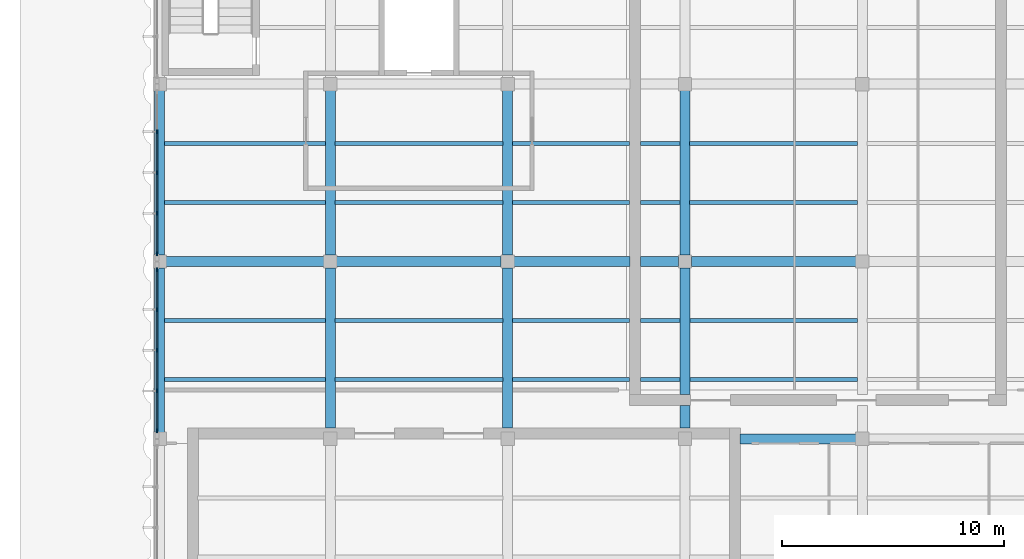
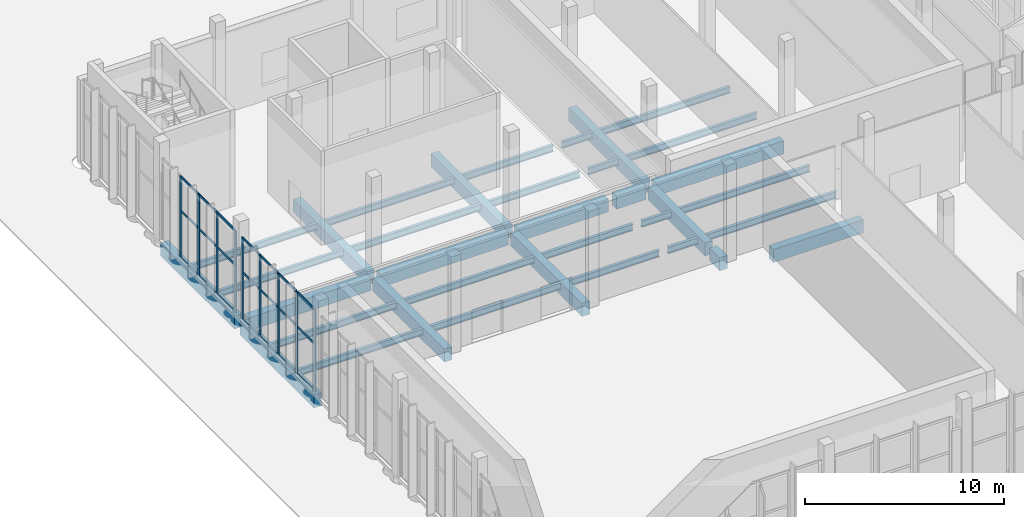
# One storey, part 37 of 155: 35 beams, 30 members, 2 elements without a shape of their own.
"""IFC4 building model written with IfcOpenShell, lengths in metres."""

from ifc_helpers import new_model, si_unit, direction, frame, origin, origin_2d, place, context, subcontext, project, spatial, rectangle, i_section, extrude, material, layer, layer_set, material_profile, profile_set, type_object, element, aggregate, save


model = new_model("IFC4")

# Units and contexts
model_context = context("Model", 3, precision=1e-05, world=origin(), true_north=direction((0.0, 1.0)))
body_context = subcontext(model_context, "Body", "Model", "MODEL_VIEW")
ifc_project = project(units=[si_unit("LENGTHUNIT", "METRE"), si_unit("AREAUNIT", "SQUARE_METRE"), si_unit("VOLUMEUNIT", "CUBIC_METRE"), si_unit("PLANEANGLEUNIT", "RADIAN"), si_unit("MASSUNIT", "GRAM", prefix="KILO")], contexts=[model_context])

# Site, building, storey
site_placement = place(None, origin())
site = spatial("IfcSite", under=ifc_project, at=site_placement, CompositionType="ELEMENT")
building_placement = place(site_placement, origin())
building = spatial("IfcBuilding", under=site, at=building_placement, Name="Lunette Opera House", CompositionType="ELEMENT")
storey_placement = place(building_placement, origin())
storey = spatial("IfcBuildingStorey", under=building, at=storey_placement, Name="L00", CompositionType="ELEMENT", Elevation=0.0)

# Curtain wall, members
ifc_material_1 = material(Name="Aluminium", Category="aluminium")
ifc_layer = layer(ifc_material_1, 0.179931640625)
ifc_layer_set = layer_set([ifc_layer], Name="Aluminium")
curtain_wall_type = type_object("IfcCurtainWallType", Name="SUN FACE CURTAIN WALL", PredefinedType="NOTDEFINED", material=ifc_layer_set)
curtain_wall_1_placement = place(storey_placement, origin())
curtain_wall_1 = element("IfcCurtainWall", 1, at=curtain_wall_1_placement, inside=storey, type_object=curtain_wall_type, Name="Sun Face Curtain Wall F08 L00", PredefinedType="NOTDEFINED")
ifc_material_2 = material(Name="Aluminium", Category="aluminium")
ifc_material_profile_1 = material_profile(ifc_material_2, rectangle(XDim=0.06005859375, YDim=0.179931640625, at=origin_2d()), Name="MULLION 60 X 180")
ifc_profile_set_1 = profile_set([ifc_material_profile_1], Name="Aluminium")
member_type_1 = type_object("IfcMemberType", Name="MULLION 60 X 180", PredefinedType="MULLION", material=ifc_profile_set_1)
member_1_placement = place(storey_placement, frame((8.181884765625, 101.8544921875, 0.0), z_axis=(0.0, 0.0, 1.0), x_axis=(1.0, 0.0, 0.0)))
member_1 = element("IfcMember", 2, at=member_1_placement, type_object=member_type_1, Name="RW-X2002 mullion 2", PredefinedType="MULLION", context=body_context, shape_type="SweptSolid", body=[
    extrude(rectangle(XDim=0.06005859375, YDim=0.179931640625, at=origin_2d()), origin(), (0.0, 0.0, 1.0), 5.050048828125),
])
member_2_placement = place(storey_placement, frame((8.181884765625, 100.012939453125, 0.0), z_axis=(0.0, 0.0, 1.0), x_axis=(1.0, 0.0, 0.0)))
member_2 = element("IfcMember", 3, at=member_2_placement, type_object=member_type_1, Name="RW-X2002 mullion 3", PredefinedType="MULLION", context=body_context, shape_type="SweptSolid", body=[
    extrude(rectangle(XDim=0.06005859375, YDim=0.179931640625, at=origin_2d()), origin(), (0.0, 0.0, 1.0), 5.050048828125),
])
member_3_placement = place(storey_placement, frame((8.181884765625, 98.17138671875, 0.0), z_axis=(0.0, 0.0, 1.0), x_axis=(1.0, 0.0, 0.0)))
member_3 = element("IfcMember", 4, at=member_3_placement, type_object=member_type_1, Name="RW-X2002 mullion 4", PredefinedType="MULLION", context=body_context, shape_type="SweptSolid", body=[
    extrude(rectangle(XDim=0.06005859375, YDim=0.179931640625, at=origin_2d()), origin(), (0.0, 0.0, 1.0), 5.050048828125),
])
member_4_placement = place(storey_placement, frame((8.181884765625, 96.360107421875, 0.0), z_axis=(0.0, 0.0, 1.0), x_axis=(1.0, 0.0, 0.0)))
member_4 = element("IfcMember", 5, at=member_4_placement, type_object=member_type_1, Name="RW-X2002 mullion 5", PredefinedType="MULLION", context=body_context, shape_type="SweptSolid", body=[
    extrude(rectangle(XDim=0.06005859375, YDim=0.179931640625, at=origin_2d()), origin(), (0.0, 0.0, 1.0), 5.050048828125),
])

curtain_wall_2_placement = place(storey_placement, origin())
curtain_wall_2 = element("IfcCurtainWall", 6, at=curtain_wall_2_placement, inside=storey, type_object=curtain_wall_type, Name="Sun Face Curtain Wall F09 L00", PredefinedType="NOTDEFINED")
member_5_placement = place(storey_placement, frame((8.181884765625, 95.639892578125, 0.0), z_axis=(0.0, 0.0, 1.0), x_axis=(1.0, 0.0, 0.0)))
member_5 = element("IfcMember", 7, at=member_5_placement, type_object=member_type_1, Name="RW-X2003 mullion 1", PredefinedType="MULLION", context=body_context, shape_type="SweptSolid", body=[
    extrude(rectangle(XDim=0.06005859375, YDim=0.179931640625, at=origin_2d()), origin(), (0.0, 0.0, 1.0), 5.050048828125),
])
member_6_placement = place(storey_placement, frame((8.181884765625, 93.8349609375, 0.0), z_axis=(0.0, 0.0, 1.0), x_axis=(1.0, 0.0, 0.0)))
member_6 = element("IfcMember", 8, at=member_6_placement, type_object=member_type_1, Name="RW-X2003 mullion 2", PredefinedType="MULLION", context=body_context, shape_type="SweptSolid", body=[
    extrude(rectangle(XDim=0.06005859375, YDim=0.179931640625, at=origin_2d()), origin(), (0.0, 0.0, 1.0), 5.050048828125),
])
member_7_placement = place(storey_placement, frame((8.181884765625, 92.0, 0.0), z_axis=(0.0, 0.0, 1.0), x_axis=(1.0, 0.0, 0.0)))
member_7 = element("IfcMember", 9, at=member_7_placement, type_object=member_type_1, Name="RW-X2003 mullion 3", PredefinedType="MULLION", context=body_context, shape_type="SweptSolid", body=[
    extrude(rectangle(XDim=0.06005859375, YDim=0.179931640625, at=origin_2d()), origin(), (0.0, 0.0, 1.0), 5.050048828125),
])
member_8_placement = place(storey_placement, frame((8.181884765625, 90.1650390625, 0.0), z_axis=(0.0, 0.0, 1.0), x_axis=(1.0, 0.0, 0.0)))
member_8 = element("IfcMember", 10, at=member_8_placement, type_object=member_type_1, Name="RW-X2003 mullion 4", PredefinedType="MULLION", context=body_context, shape_type="SweptSolid", body=[
    extrude(rectangle(XDim=0.06005859375, YDim=0.179931640625, at=origin_2d()), origin(), (0.0, 0.0, 1.0), 5.050048828125),
])
member_9_placement = place(storey_placement, frame((8.181884765625, 88.360107421875, 0.0), z_axis=(0.0, 0.0, 1.0), x_axis=(1.0, 0.0, 0.0)))
member_9 = element("IfcMember", 11, at=member_9_placement, type_object=member_type_1, Name="RW-X2003 mullion 5", PredefinedType="MULLION", context=body_context, shape_type="SweptSolid", body=[
    extrude(rectangle(XDim=0.06005859375, YDim=0.179931640625, at=origin_2d()), origin(), (0.0, 0.0, 1.0), 5.050048828125),
])

# Beams
ifc_material_3 = material(Name="Concrete C35/45", Category="concrete")
ifc_material_profile_2 = material_profile(ifc_material_3, rectangle(XDim=0.449951171875, YDim=0.800048828125, at=origin_2d()), Name="RC BEAM 450X800")
ifc_profile_set_2 = profile_set([ifc_material_profile_2], Name="Concrete C35/45")
beam_type_1 = type_object("IfcBeamType", Name="RC BEAM 450X800", PredefinedType="BEAM", material=ifc_profile_set_2)
for number, where, z_axis, x_axis, name in (
    (12, (8.300048828125, 88.2900390625, -0.550048828125), (0.0, 1.0, 0.0), (-1.0, 0.0, 0.0), "beam-RW-L00-L00-GY03"),
    (13, (8.300048828125, 96.2900390625, -0.550048828125), (0.0, 1.0, 0.0), (-1.0, 0.0, 0.0), "beam-RW-L00-L00-GY04"),
):
    element("IfcBeam", number, at=place(storey_placement, frame(where, z_axis=z_axis, x_axis=x_axis)), inside=storey, type_object=beam_type_1, Name=name, PredefinedType="BEAM", context=body_context, shape_type="SweptSolid", body=[
        extrude(rectangle(XDim=0.449951171875, YDim=0.800048828125, at=origin_2d()), origin(), (0.0, 0.0, 1.0), 7.419921875),
    ])
beam_1_placement = place(storey_placement, frame((16.0, 88.489990234375, -0.550048828125), z_axis=(0.0, 1.0, 0.0), x_axis=(-1.0, 0.0, 0.0)))
element("IfcBeam", 14, at=beam_1_placement, inside=storey, type_object=beam_type_1, Name="beam-RW-L00-L00-GY13", PredefinedType="BEAM", context=body_context, shape_type="SweptSolid", body=[
    extrude(rectangle(XDim=0.449951171875, YDim=0.800048828125, at=origin_2d()), origin(), (0.0, 0.0, 1.0), 7.219970703125),
])
beam_2_placement = place(storey_placement, frame((16.0, 96.2900390625, -0.550048828125), z_axis=(0.0, 1.0, 0.0), x_axis=(-1.0, 0.0, 0.0)))
element("IfcBeam", 15, at=beam_2_placement, inside=storey, type_object=beam_type_1, Name="beam-RW-L00-L00-GY14", PredefinedType="BEAM", context=body_context, shape_type="SweptSolid", body=[
    extrude(rectangle(XDim=0.449951171875, YDim=0.800048828125, at=origin_2d()), origin(), (0.0, 0.0, 1.0), 7.419921875),
])
beam_3_placement = place(storey_placement, frame((24.0, 88.489990234375, -0.550048828125), z_axis=(0.0, 1.0, 0.0), x_axis=(-1.0, 0.0, 0.0)))
element("IfcBeam", 16, at=beam_3_placement, inside=storey, type_object=beam_type_1, Name="beam-RW-L00-L00-GY23", PredefinedType="BEAM", context=body_context, shape_type="SweptSolid", body=[
    extrude(rectangle(XDim=0.449951171875, YDim=0.800048828125, at=origin_2d()), origin(), (0.0, 0.0, 1.0), 7.219970703125),
])
beam_4_placement = place(storey_placement, frame((24.0, 96.2900390625, -0.550048828125), z_axis=(0.0, 1.0, 0.0), x_axis=(-1.0, 0.0, 0.0)))
element("IfcBeam", 17, at=beam_4_placement, inside=storey, type_object=beam_type_1, Name="beam-RW-L00-L00-GY24", PredefinedType="BEAM", context=body_context, shape_type="SweptSolid", body=[
    extrude(rectangle(XDim=0.449951171875, YDim=0.800048828125, at=origin_2d()), origin(), (0.0, 0.0, 1.0), 7.419921875),
])
beam_5_placement = place(storey_placement, frame((32.0, 88.489990234375, -0.550048828125), z_axis=(0.0, 1.0, 0.0), x_axis=(-1.0, 0.0, 0.0)))
element("IfcBeam", 18, at=beam_5_placement, inside=storey, type_object=beam_type_1, Name="beam-RW-L00-L00-GY33", PredefinedType="BEAM", context=body_context, shape_type="SweptSolid", body=[
    extrude(rectangle(XDim=0.449951171875, YDim=0.800048828125, at=origin_2d()), origin(), (0.0, 0.0, 1.0), 1.02001953125),
])
beam_6_placement = place(storey_placement, frame((32.0, 89.989990234375, -0.550048828125), z_axis=(0.0, 1.0, 0.0), x_axis=(-1.0, 0.0, 0.0)))
element("IfcBeam", 19, at=beam_6_placement, inside=storey, type_object=beam_type_1, Name="beam-RW-L00-L00-GY33-1", PredefinedType="BEAM", context=body_context, shape_type="SweptSolid", body=[
    extrude(rectangle(XDim=0.449951171875, YDim=0.800048828125, at=origin_2d()), origin(), (0.0, 0.0, 1.0), 5.719970703125),
])
beam_7_placement = place(storey_placement, frame((32.0, 96.2900390625, -0.550048828125), z_axis=(0.0, 1.0, 0.0), x_axis=(-1.0, 0.0, 0.0)))
element("IfcBeam", 20, at=beam_7_placement, inside=storey, type_object=beam_type_1, Name="beam-RW-L00-L00-GY34", PredefinedType="BEAM", context=body_context, shape_type="SweptSolid", body=[
    extrude(rectangle(XDim=0.449951171875, YDim=0.800048828125, at=origin_2d()), origin(), (0.0, 0.0, 1.0), 7.419921875),
])
beam_8_placement = place(storey_placement, frame((34.489990234375, 88.0, -0.550048828125), z_axis=(1.0, 0.0, 0.0), x_axis=(0.0, 1.0, 0.0)))
element("IfcBeam", 21, at=beam_8_placement, inside=storey, type_object=beam_type_1, Name="beam-RW-L00-L00-GX33", PredefinedType="BEAM", context=body_context, shape_type="SweptSolid", body=[
    extrude(rectangle(XDim=0.449951171875, YDim=0.800048828125, at=origin_2d()), origin(), (0.0, 0.0, 1.0), 5.219970703125),
])
beam_9_placement = place(storey_placement, frame((8.590087890625, 96.0, -0.550048828125), z_axis=(1.0, 0.0, 0.0), x_axis=(0.0, 1.0, 0.0)))
element("IfcBeam", 22, at=beam_9_placement, inside=storey, type_object=beam_type_1, Name="beam-RW-L00-L00-GX04", PredefinedType="BEAM", context=body_context, shape_type="SweptSolid", body=[
    extrude(rectangle(XDim=0.449951171875, YDim=0.800048828125, at=origin_2d()), origin(), (0.0, 0.0, 1.0), 7.119873046875),
])
beam_10_placement = place(storey_placement, frame((16.2900390625, 96.0, -0.550048828125), z_axis=(1.0, 0.0, 0.0), x_axis=(0.0, 1.0, 0.0)))
element("IfcBeam", 23, at=beam_10_placement, inside=storey, type_object=beam_type_1, Name="beam-RW-L00-L00-GX14", PredefinedType="BEAM", context=body_context, shape_type="SweptSolid", body=[
    extrude(rectangle(XDim=0.449951171875, YDim=0.800048828125, at=origin_2d()), origin(), (0.0, 0.0, 1.0), 7.419921875),
])
beam_11_placement = place(storey_placement, frame((24.2900390625, 96.0, -0.550048828125), z_axis=(1.0, 0.0, 0.0), x_axis=(0.0, 1.0, 0.0)))
element("IfcBeam", 24, at=beam_11_placement, inside=storey, type_object=beam_type_1, Name="beam-RW-L00-L00-GX24", PredefinedType="BEAM", context=body_context, shape_type="SweptSolid", body=[
    extrude(rectangle(XDim=0.449951171875, YDim=0.800048828125, at=origin_2d()), origin(), (0.0, 0.0, 1.0), 5.219970703125),
])
beam_12_placement = place(storey_placement, frame((29.989990234375, 96.0, -0.550048828125), z_axis=(1.0, 0.0, 0.0), x_axis=(0.0, 1.0, 0.0)))
element("IfcBeam", 25, at=beam_12_placement, inside=storey, type_object=beam_type_1, Name="beam-RW-L00-L00-GX24-1", PredefinedType="BEAM", context=body_context, shape_type="SweptSolid", body=[
    extrude(rectangle(XDim=0.449951171875, YDim=0.800048828125, at=origin_2d()), origin(), (0.0, 0.0, 1.0), 1.719970703125),
])
beam_13_placement = place(storey_placement, frame((32.2900390625, 96.0, -0.550048828125), z_axis=(1.0, 0.0, 0.0), x_axis=(0.0, 1.0, 0.0)))
element("IfcBeam", 26, at=beam_13_placement, inside=storey, type_object=beam_type_1, Name="beam-RW-L00-L00-GX34", PredefinedType="BEAM", context=body_context, shape_type="SweptSolid", body=[
    extrude(rectangle(XDim=0.449951171875, YDim=0.800048828125, at=origin_2d()), origin(), (0.0, 0.0, 1.0), 7.419921875),
])
ifc_material_4 = material(Name="Steel S355", Category="steel")
ifc_material_profile_3 = material_profile(ifc_material_4, i_section(OverallWidth=0.179931640625, OverallDepth=0.39990234375, WebThickness=0.008544921875, FlangeThickness=0.013427734375, FilletRadius=0.02099609375, at=origin_2d()), Name="IPE 400")
ifc_profile_set_3 = profile_set([ifc_material_profile_3], Name="Steel S355")
beam_type_2 = type_object("IfcBeamType", Name="STEEL BEAM IPE 400", PredefinedType="BEAM", material=ifc_profile_set_3)
for number, where, z_axis, x_axis, name in (
    (27, (8.514892578125, 90.6669921875, -0.35009765625), (1.0, 0.0, 0.0), (0.0, 1.0, 0.0), "beam-RW-L00-L00-SX031"),
    (28, (8.514892578125, 93.3330078125, -0.35009765625), (1.0, 0.0, 0.0), (0.0, 1.0, 0.0), "beam-RW-L00-L00-SX032"),
    (29, (8.514892578125, 98.6669921875, -0.35009765625), (1.0, 0.0, 0.0), (0.0, 1.0, 0.0), "beam-RW-L00-L00-SX041"),
    (30, (8.514892578125, 101.3330078125, -0.35009765625), (1.0, 0.0, 0.0), (0.0, 1.0, 0.0), "beam-RW-L00-L00-SX042"),
):
    element("IfcBeam", number, at=place(storey_placement, frame(where, z_axis=z_axis, x_axis=x_axis)), inside=storey, type_object=beam_type_2, Name=name, PredefinedType="BEAM", context=body_context, shape_type="SweptSolid", body=[
        extrude(i_section(OverallWidth=0.179931640625, OverallDepth=0.39990234375, WebThickness=0.008544921875, FlangeThickness=0.013427734375, FilletRadius=0.02099609375, at=origin_2d()), origin(), (0.0, 0.0, 1.0), 7.27001953125),
    ])
for number, where, z_axis, x_axis, name in (
    (31, (16.215087890625, 90.6669921875, -0.35009765625), (1.0, 0.0, 0.0), (0.0, 1.0, 0.0), "beam-RW-L00-L00-SX131"),
    (32, (16.215087890625, 93.3330078125, -0.35009765625), (1.0, 0.0, 0.0), (0.0, 1.0, 0.0), "beam-RW-L00-L00-SX132"),
    (33, (16.215087890625, 98.6669921875, -0.35009765625), (1.0, 0.0, 0.0), (0.0, 1.0, 0.0), "beam-RW-L00-L00-SX141"),
    (34, (16.215087890625, 101.3330078125, -0.35009765625), (1.0, 0.0, 0.0), (0.0, 1.0, 0.0), "beam-RW-L00-L00-SX142"),
):
    element("IfcBeam", number, at=place(storey_placement, frame(where, z_axis=z_axis, x_axis=x_axis)), inside=storey, type_object=beam_type_2, Name=name, PredefinedType="BEAM", context=body_context, shape_type="SweptSolid", body=[
        extrude(i_section(OverallWidth=0.179931640625, OverallDepth=0.39990234375, WebThickness=0.008544921875, FlangeThickness=0.013427734375, FilletRadius=0.02099609375, at=origin_2d()), origin(), (0.0, 0.0, 1.0), 7.56982421875),
    ])
beam_14_placement = place(storey_placement, frame((24.215087890625, 90.6669921875, -0.35009765625), z_axis=(1.0, 0.0, 0.0), x_axis=(0.0, 1.0, 0.0)))
element("IfcBeam", 35, at=beam_14_placement, inside=storey, type_object=beam_type_2, Name="beam-RW-L00-L00-SX231", PredefinedType="BEAM", context=body_context, shape_type="SweptSolid", body=[
    extrude(i_section(OverallWidth=0.179931640625, OverallDepth=0.39990234375, WebThickness=0.008544921875, FlangeThickness=0.013427734375, FilletRadius=0.02099609375, at=origin_2d()), origin(), (0.0, 0.0, 1.0), 5.284912109375),
])
beam_15_placement = place(storey_placement, frame((30.0, 90.6669921875, -0.35009765625), z_axis=(1.0, 0.0, 0.0), x_axis=(0.0, 1.0, 0.0)))
element("IfcBeam", 36, at=beam_15_placement, inside=storey, type_object=beam_type_2, Name="beam-RW-L00-L00-SX231-01", PredefinedType="BEAM", context=body_context, shape_type="SweptSolid", body=[
    extrude(i_section(OverallWidth=0.179931640625, OverallDepth=0.39990234375, WebThickness=0.008544921875, FlangeThickness=0.013427734375, FilletRadius=0.02099609375, at=origin_2d()), origin(), (0.0, 0.0, 1.0), 1.784912109375),
])
beam_16_placement = place(storey_placement, frame((24.215087890625, 93.3330078125, -0.35009765625), z_axis=(1.0, 0.0, 0.0), x_axis=(0.0, 1.0, 0.0)))
element("IfcBeam", 37, at=beam_16_placement, inside=storey, type_object=beam_type_2, Name="beam-RW-L00-L00-SX232", PredefinedType="BEAM", context=body_context, shape_type="SweptSolid", body=[
    extrude(i_section(OverallWidth=0.179931640625, OverallDepth=0.39990234375, WebThickness=0.008544921875, FlangeThickness=0.013427734375, FilletRadius=0.02099609375, at=origin_2d()), origin(), (0.0, 0.0, 1.0), 5.284912109375),
])
beam_17_placement = place(storey_placement, frame((30.0, 93.3330078125, -0.35009765625), z_axis=(1.0, 0.0, 0.0), x_axis=(0.0, 1.0, 0.0)))
element("IfcBeam", 38, at=beam_17_placement, inside=storey, type_object=beam_type_2, Name="beam-RW-L00-L00-SX232-01", PredefinedType="BEAM", context=body_context, shape_type="SweptSolid", body=[
    extrude(i_section(OverallWidth=0.179931640625, OverallDepth=0.39990234375, WebThickness=0.008544921875, FlangeThickness=0.013427734375, FilletRadius=0.02099609375, at=origin_2d()), origin(), (0.0, 0.0, 1.0), 1.784912109375),
])
beam_18_placement = place(storey_placement, frame((24.215087890625, 98.6669921875, -0.35009765625), z_axis=(1.0, 0.0, 0.0), x_axis=(0.0, 1.0, 0.0)))
element("IfcBeam", 39, at=beam_18_placement, inside=storey, type_object=beam_type_2, Name="beam-RW-L00-L00-SX241", PredefinedType="BEAM", context=body_context, shape_type="SweptSolid", body=[
    extrude(i_section(OverallWidth=0.179931640625, OverallDepth=0.39990234375, WebThickness=0.008544921875, FlangeThickness=0.013427734375, FilletRadius=0.02099609375, at=origin_2d()), origin(), (0.0, 0.0, 1.0), 5.284912109375),
])
beam_19_placement = place(storey_placement, frame((30.0, 98.6669921875, -0.35009765625), z_axis=(1.0, 0.0, 0.0), x_axis=(0.0, 1.0, 0.0)))
element("IfcBeam", 40, at=beam_19_placement, inside=storey, type_object=beam_type_2, Name="beam-RW-L00-L00-SX241-01", PredefinedType="BEAM", context=body_context, shape_type="SweptSolid", body=[
    extrude(i_section(OverallWidth=0.179931640625, OverallDepth=0.39990234375, WebThickness=0.008544921875, FlangeThickness=0.013427734375, FilletRadius=0.02099609375, at=origin_2d()), origin(), (0.0, 0.0, 1.0), 1.784912109375),
])
beam_20_placement = place(storey_placement, frame((24.215087890625, 101.3330078125, -0.35009765625), z_axis=(1.0, 0.0, 0.0), x_axis=(0.0, 1.0, 0.0)))
element("IfcBeam", 41, at=beam_20_placement, inside=storey, type_object=beam_type_2, Name="beam-RW-L00-L00-SX242", PredefinedType="BEAM", context=body_context, shape_type="SweptSolid", body=[
    extrude(i_section(OverallWidth=0.179931640625, OverallDepth=0.39990234375, WebThickness=0.008544921875, FlangeThickness=0.013427734375, FilletRadius=0.02099609375, at=origin_2d()), origin(), (0.0, 0.0, 1.0), 5.284912109375),
])
beam_21_placement = place(storey_placement, frame((30.0, 101.3330078125, -0.35009765625), z_axis=(1.0, 0.0, 0.0), x_axis=(0.0, 1.0, 0.0)))
element("IfcBeam", 42, at=beam_21_placement, inside=storey, type_object=beam_type_2, Name="beam-RW-L00-L00-SX242-01", PredefinedType="BEAM", context=body_context, shape_type="SweptSolid", body=[
    extrude(i_section(OverallWidth=0.179931640625, OverallDepth=0.39990234375, WebThickness=0.008544921875, FlangeThickness=0.013427734375, FilletRadius=0.02099609375, at=origin_2d()), origin(), (0.0, 0.0, 1.0), 1.784912109375),
])
for number, where, z_axis, x_axis, name in (
    (43, (32.215087890625, 90.6669921875, -0.35009765625), (1.0, 0.0, 0.0), (0.0, 1.0, 0.0), "beam-RW-L00-L00-SX331"),
    (44, (32.215087890625, 93.3330078125, -0.35009765625), (1.0, 0.0, 0.0), (0.0, 1.0, 0.0), "beam-RW-L00-L00-SX332"),
    (45, (32.215087890625, 98.6669921875, -0.35009765625), (1.0, 0.0, 0.0), (0.0, 1.0, 0.0), "beam-RW-L00-L00-SX341"),
    (46, (32.215087890625, 101.3330078125, -0.35009765625), (1.0, 0.0, 0.0), (0.0, 1.0, 0.0), "beam-RW-L00-L00-SX342"),
):
    element("IfcBeam", number, at=place(storey_placement, frame(where, z_axis=z_axis, x_axis=x_axis)), inside=storey, type_object=beam_type_2, Name=name, PredefinedType="BEAM", context=body_context, shape_type="SweptSolid", body=[
        extrude(i_section(OverallWidth=0.179931640625, OverallDepth=0.39990234375, WebThickness=0.008544921875, FlangeThickness=0.013427734375, FilletRadius=0.02099609375, at=origin_2d()), origin(), (0.0, 0.0, 1.0), 7.56982421875),
    ])

# Member
ifc_material_5 = material(Name="Aluminium", Category="aluminium")
ifc_material_profile_4 = material_profile(ifc_material_5, rectangle(XDim=0.06005859375, YDim=0.139892578125, at=origin_2d()), Name="TRANSOM 60 X 140")
ifc_profile_set_4 = profile_set([ifc_material_profile_4], Name="Aluminium")
member_type_2 = type_object("IfcMemberType", Name="TRANSOM 60 X 140", PredefinedType="USERDEFINED", material=ifc_profile_set_4)
member_10_placement = place(storey_placement, frame((8.181884765625, 101.824462890625, 0.030029296875), z_axis=(0.0, -1.0, 0.0), x_axis=(1.0, 0.0, 0.0)))
member_10 = element("IfcMember", 47, at=member_10_placement, type_object=member_type_2, Name="RW-X2002 transom 2.1", ObjectType="TRANSOM", PredefinedType="USERDEFINED", context=body_context, shape_type="SweptSolid", body=[
    extrude(rectangle(XDim=0.06005859375, YDim=0.139892578125, at=origin_2d()), origin(), (0.0, 0.0, 1.0), 1.781494140625),
])

member_11_placement = place(storey_placement, frame((8.181884765625, 101.824462890625, 2.925048828125), z_axis=(0.0, -1.0, 0.0), x_axis=(1.0, 0.0, 0.0)))
member_11 = element("IfcMember", 48, at=member_11_placement, type_object=member_type_2, Name="RW-X2002 transom 2.2", ObjectType="TRANSOM", PredefinedType="USERDEFINED", context=body_context, shape_type="SweptSolid", body=[
    extrude(rectangle(XDim=0.06005859375, YDim=0.139892578125, at=origin_2d()), origin(), (0.0, 0.0, 1.0), 1.781494140625),
])

member_12_placement = place(storey_placement, frame((8.181884765625, 101.824462890625, 5.02001953125), z_axis=(0.0, -1.0, 0.0), x_axis=(1.0, 0.0, 0.0)))
member_12 = element("IfcMember", 49, at=member_12_placement, type_object=member_type_2, Name="RW-X2002 transom 2.3", ObjectType="TRANSOM", PredefinedType="USERDEFINED", context=body_context, shape_type="SweptSolid", body=[
    extrude(rectangle(XDim=0.06005859375, YDim=0.139892578125, at=origin_2d()), origin(), (0.0, 0.0, 1.0), 1.781494140625),
])

member_13_placement = place(storey_placement, frame((8.181884765625, 99.98291015625, 0.030029296875), z_axis=(0.0, -1.0, 0.0), x_axis=(1.0, 0.0, 0.0)))
member_13 = element("IfcMember", 50, at=member_13_placement, type_object=member_type_2, Name="RW-X2002 transom 3.1", ObjectType="TRANSOM", PredefinedType="USERDEFINED", context=body_context, shape_type="SweptSolid", body=[
    extrude(rectangle(XDim=0.06005859375, YDim=0.139892578125, at=origin_2d()), origin(), (0.0, 0.0, 1.0), 1.781494140625),
])

member_14_placement = place(storey_placement, frame((8.181884765625, 99.98291015625, 2.925048828125), z_axis=(0.0, -1.0, 0.0), x_axis=(1.0, 0.0, 0.0)))
member_14 = element("IfcMember", 51, at=member_14_placement, type_object=member_type_2, Name="RW-X2002 transom 3.2", ObjectType="TRANSOM", PredefinedType="USERDEFINED", context=body_context, shape_type="SweptSolid", body=[
    extrude(rectangle(XDim=0.06005859375, YDim=0.139892578125, at=origin_2d()), origin(), (0.0, 0.0, 1.0), 1.781494140625),
])

member_15_placement = place(storey_placement, frame((8.181884765625, 99.98291015625, 5.02001953125), z_axis=(0.0, -1.0, 0.0), x_axis=(1.0, 0.0, 0.0)))
member_15 = element("IfcMember", 52, at=member_15_placement, type_object=member_type_2, Name="RW-X2002 transom 3.3", ObjectType="TRANSOM", PredefinedType="USERDEFINED", context=body_context, shape_type="SweptSolid", body=[
    extrude(rectangle(XDim=0.06005859375, YDim=0.139892578125, at=origin_2d()), origin(), (0.0, 0.0, 1.0), 1.781494140625),
])

member_16_placement = place(storey_placement, frame((8.181884765625, 98.1416015625, 0.030029296875), z_axis=(0.0, -1.0, 0.0), x_axis=(1.0, 0.0, 0.0)))
member_16 = element("IfcMember", 53, at=member_16_placement, type_object=member_type_2, Name="RW-X2002 transom 4.1", ObjectType="TRANSOM", PredefinedType="USERDEFINED", context=body_context, shape_type="SweptSolid", body=[
    extrude(rectangle(XDim=0.06005859375, YDim=0.139892578125, at=origin_2d()), origin(), (0.0, 0.0, 1.0), 1.751708984375),
])

member_17_placement = place(storey_placement, frame((8.181884765625, 98.1416015625, 2.925048828125), z_axis=(0.0, -1.0, 0.0), x_axis=(1.0, 0.0, 0.0)))
member_17 = element("IfcMember", 54, at=member_17_placement, type_object=member_type_2, Name="RW-X2002 transom 4.2", ObjectType="TRANSOM", PredefinedType="USERDEFINED", context=body_context, shape_type="SweptSolid", body=[
    extrude(rectangle(XDim=0.06005859375, YDim=0.139892578125, at=origin_2d()), origin(), (0.0, 0.0, 1.0), 1.751708984375),
])

member_18_placement = place(storey_placement, frame((8.181884765625, 98.1416015625, 5.02001953125), z_axis=(0.0, -1.0, 0.0), x_axis=(1.0, 0.0, 0.0)))
member_18 = element("IfcMember", 55, at=member_18_placement, type_object=member_type_2, Name="RW-X2002 transom 4.3", ObjectType="TRANSOM", PredefinedType="USERDEFINED", context=body_context, shape_type="SweptSolid", body=[
    extrude(rectangle(XDim=0.06005859375, YDim=0.139892578125, at=origin_2d()), origin(), (0.0, 0.0, 1.0), 1.751708984375),
])

aggregate(curtain_wall_1, [member_1, member_2, member_3, member_4, member_10, member_11, member_12, member_13, member_14, member_15, member_16, member_17, member_18])

member_19_placement = place(storey_placement, frame((8.181884765625, 95.610107421875, 0.030029296875), z_axis=(0.0, -1.0, 0.0), x_axis=(1.0, 0.0, 0.0)))
member_19 = element("IfcMember", 56, at=member_19_placement, type_object=member_type_2, Name="RW-X2003 transom 1.1", ObjectType="TRANSOM", PredefinedType="USERDEFINED", context=body_context, shape_type="SweptSolid", body=[
    extrude(rectangle(XDim=0.06005859375, YDim=0.139892578125, at=origin_2d()), origin(), (0.0, 0.0, 1.0), 1.7451171875),
])

member_20_placement = place(storey_placement, frame((8.181884765625, 95.610107421875, 2.925048828125), z_axis=(0.0, -1.0, 0.0), x_axis=(1.0, 0.0, 0.0)))
member_20 = element("IfcMember", 57, at=member_20_placement, type_object=member_type_2, Name="RW-X2003 transom 1.2", ObjectType="TRANSOM", PredefinedType="USERDEFINED", context=body_context, shape_type="SweptSolid", body=[
    extrude(rectangle(XDim=0.06005859375, YDim=0.139892578125, at=origin_2d()), origin(), (0.0, 0.0, 1.0), 1.7451171875),
])

member_21_placement = place(storey_placement, frame((8.181884765625, 95.610107421875, 5.02001953125), z_axis=(0.0, -1.0, 0.0), x_axis=(1.0, 0.0, 0.0)))
member_21 = element("IfcMember", 58, at=member_21_placement, type_object=member_type_2, Name="RW-X2003 transom 1.3", ObjectType="TRANSOM", PredefinedType="USERDEFINED", context=body_context, shape_type="SweptSolid", body=[
    extrude(rectangle(XDim=0.06005859375, YDim=0.139892578125, at=origin_2d()), origin(), (0.0, 0.0, 1.0), 1.7451171875),
])

member_22_placement = place(storey_placement, frame((8.181884765625, 93.804931640625, 0.030029296875), z_axis=(0.0, -1.0, 0.0), x_axis=(1.0, 0.0, 0.0)))
member_22 = element("IfcMember", 59, at=member_22_placement, type_object=member_type_2, Name="RW-X2003 transom 2.1", ObjectType="TRANSOM", PredefinedType="USERDEFINED", context=body_context, shape_type="SweptSolid", body=[
    extrude(rectangle(XDim=0.06005859375, YDim=0.139892578125, at=origin_2d()), origin(), (0.0, 0.0, 1.0), 1.77490234375),
])

member_23_placement = place(storey_placement, frame((8.181884765625, 93.804931640625, 2.925048828125), z_axis=(0.0, -1.0, 0.0), x_axis=(1.0, 0.0, 0.0)))
member_23 = element("IfcMember", 60, at=member_23_placement, type_object=member_type_2, Name="RW-X2003 transom 2.2", ObjectType="TRANSOM", PredefinedType="USERDEFINED", context=body_context, shape_type="SweptSolid", body=[
    extrude(rectangle(XDim=0.06005859375, YDim=0.139892578125, at=origin_2d()), origin(), (0.0, 0.0, 1.0), 1.77490234375),
])

member_24_placement = place(storey_placement, frame((8.181884765625, 93.804931640625, 5.02001953125), z_axis=(0.0, -1.0, 0.0), x_axis=(1.0, 0.0, 0.0)))
member_24 = element("IfcMember", 61, at=member_24_placement, type_object=member_type_2, Name="RW-X2003 transom 2.3", ObjectType="TRANSOM", PredefinedType="USERDEFINED", context=body_context, shape_type="SweptSolid", body=[
    extrude(rectangle(XDim=0.06005859375, YDim=0.139892578125, at=origin_2d()), origin(), (0.0, 0.0, 1.0), 1.77490234375),
])

member_25_placement = place(storey_placement, frame((8.181884765625, 91.969970703125, 0.030029296875), z_axis=(0.0, -1.0, 0.0), x_axis=(1.0, 0.0, 0.0)))
member_25 = element("IfcMember", 62, at=member_25_placement, type_object=member_type_2, Name="RW-X2003 transom 3.1", ObjectType="TRANSOM", PredefinedType="USERDEFINED", context=body_context, shape_type="SweptSolid", body=[
    extrude(rectangle(XDim=0.06005859375, YDim=0.139892578125, at=origin_2d()), origin(), (0.0, 0.0, 1.0), 1.77490234375),
])

member_26_placement = place(storey_placement, frame((8.181884765625, 91.969970703125, 2.925048828125), z_axis=(0.0, -1.0, 0.0), x_axis=(1.0, 0.0, 0.0)))
member_26 = element("IfcMember", 63, at=member_26_placement, type_object=member_type_2, Name="RW-X2003 transom 3.2", ObjectType="TRANSOM", PredefinedType="USERDEFINED", context=body_context, shape_type="SweptSolid", body=[
    extrude(rectangle(XDim=0.06005859375, YDim=0.139892578125, at=origin_2d()), origin(), (0.0, 0.0, 1.0), 1.77490234375),
])

member_27_placement = place(storey_placement, frame((8.181884765625, 91.969970703125, 5.02001953125), z_axis=(0.0, -1.0, 0.0), x_axis=(1.0, 0.0, 0.0)))
member_27 = element("IfcMember", 64, at=member_27_placement, type_object=member_type_2, Name="RW-X2003 transom 3.3", ObjectType="TRANSOM", PredefinedType="USERDEFINED", context=body_context, shape_type="SweptSolid", body=[
    extrude(rectangle(XDim=0.06005859375, YDim=0.139892578125, at=origin_2d()), origin(), (0.0, 0.0, 1.0), 1.77490234375),
])

member_28_placement = place(storey_placement, frame((8.181884765625, 90.135009765625, 0.030029296875), z_axis=(0.0, -1.0, 0.0), x_axis=(1.0, 0.0, 0.0)))
member_28 = element("IfcMember", 65, at=member_28_placement, type_object=member_type_2, Name="RW-X2003 transom 4.1", ObjectType="TRANSOM", PredefinedType="USERDEFINED", context=body_context, shape_type="SweptSolid", body=[
    extrude(rectangle(XDim=0.06005859375, YDim=0.139892578125, at=origin_2d()), origin(), (0.0, 0.0, 1.0), 1.7451171875),
])

member_29_placement = place(storey_placement, frame((8.181884765625, 90.135009765625, 2.925048828125), z_axis=(0.0, -1.0, 0.0), x_axis=(1.0, 0.0, 0.0)))
member_29 = element("IfcMember", 66, at=member_29_placement, type_object=member_type_2, Name="RW-X2003 transom 4.2", ObjectType="TRANSOM", PredefinedType="USERDEFINED", context=body_context, shape_type="SweptSolid", body=[
    extrude(rectangle(XDim=0.06005859375, YDim=0.139892578125, at=origin_2d()), origin(), (0.0, 0.0, 1.0), 1.7451171875),
])

member_30_placement = place(storey_placement, frame((8.181884765625, 90.135009765625, 5.02001953125), z_axis=(0.0, -1.0, 0.0), x_axis=(1.0, 0.0, 0.0)))
member_30 = element("IfcMember", 67, at=member_30_placement, type_object=member_type_2, Name="RW-X2003 transom 4.3", ObjectType="TRANSOM", PredefinedType="USERDEFINED", context=body_context, shape_type="SweptSolid", body=[
    extrude(rectangle(XDim=0.06005859375, YDim=0.139892578125, at=origin_2d()), origin(), (0.0, 0.0, 1.0), 1.7451171875),
])

aggregate(curtain_wall_2, [member_5, member_6, member_7, member_8, member_9, member_19, member_20, member_21, member_22, member_23, member_24, member_25, member_26, member_27, member_28, member_29, member_30])

save(model, "model.ifc")
